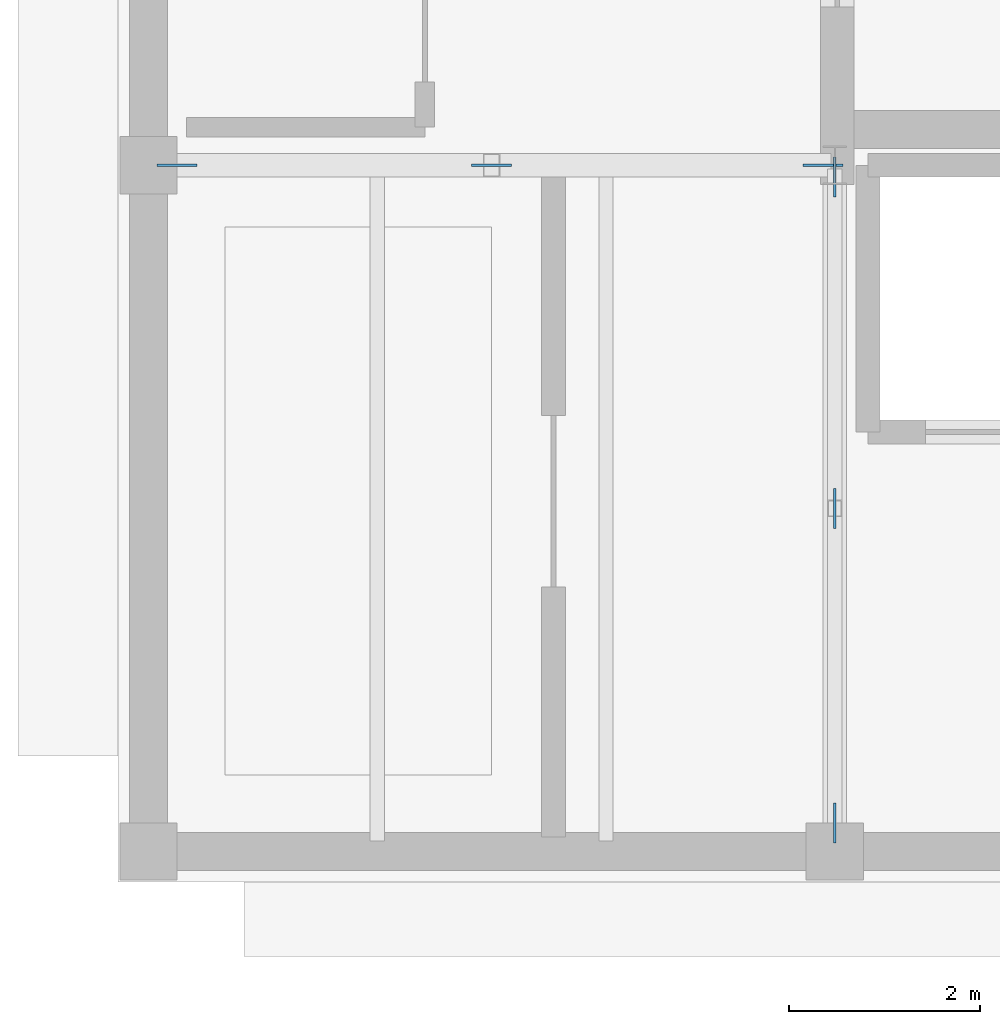
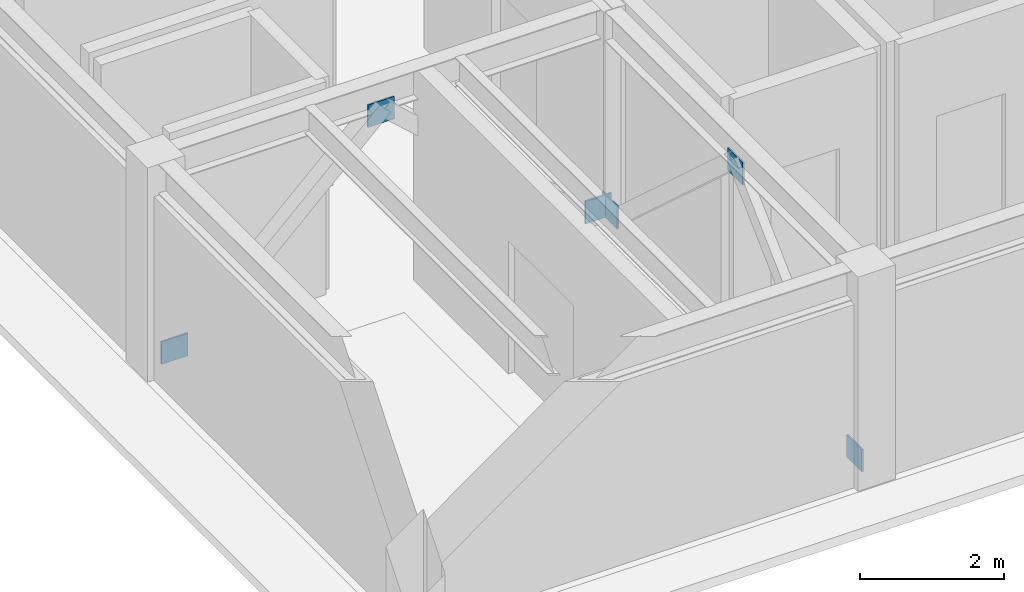
# One storey, part 6 of 8: 6 discrete accessories.
"""IFC4 building model written with IfcOpenShell, lengths in metres."""

from ifc_helpers import new_model, si_unit, direction, frame, origin, origin_2d, place, context, subcontext, project, spatial, rectangle, extrude, material, type_object, element, save


model = new_model("IFC4")

# Units and contexts
model_context = context("Model", 3, precision=1e-05, world=origin(), true_north=direction((0.0, 1.0)))
body_context = subcontext(model_context, "Body", "Model", "MODEL_VIEW")
ifc_project = project(units=[si_unit("LENGTHUNIT", "METRE"), si_unit("AREAUNIT", "SQUARE_METRE"), si_unit("VOLUMEUNIT", "CUBIC_METRE"), si_unit("PLANEANGLEUNIT", "RADIAN"), si_unit("MASSUNIT", "GRAM", prefix="KILO")], contexts=[model_context])

# Site, building, storey
site_placement = place(None, origin())
site = spatial("IfcSite", under=ifc_project, at=site_placement, CompositionType="ELEMENT")
building_placement = place(site_placement, origin())
building = spatial("IfcBuilding", under=site, at=building_placement, Name="Kandorven Conservatory and Botanical Research Centre", CompositionType="ELEMENT")
storey_placement = place(building_placement, frame((0.0, 0.0, 36.60009765625)))
storey = spatial("IfcBuildingStorey", under=building, at=storey_placement, Name="L09", CompositionType="ELEMENT", Elevation=36.60009765625)

# Discrete accessories
ifc_material = material(Name="Steel S355 (IS 2062 E350)", Category="steel")
discrete_accessory_type = type_object("IfcDiscreteAccessoryType", Name="BraceGussetPlate", PredefinedType="BRACKET", material=ifc_material)
for number, where, z_axis, x_axis, name in (
    (1, (6.300048828125, 13.199951171875, -0.010009765625), (0.0, 0.0, 1.0), (1.0, 0.0, 0.0), "Welded chevron brace gusset plate L09 X-W"),
    (2, (9.60009765625, 13.199951171875, 2.83984375), (0.0, 0.0, 1.0), (1.0, 0.0, 0.0), "Welded chevron brace gusset plate L09 X-M"),
    (3, (13.074951171875, 13.199951171875, -0.010009765625), (0.0, 0.0, 1.0), (1.0, 0.0, 0.0), "Welded chevron brace gusset plate L09 X-E"),
):
    element("IfcDiscreteAccessory", number, at=place(storey_placement, frame(where, z_axis=z_axis, x_axis=x_axis)), inside=storey, type_object=discrete_accessory_type, Name=name, PredefinedType="BRACKET", context=body_context, shape_type="SweptSolid", body=[
        extrude(rectangle(XDim=0.419921875, YDim=0.028076171875, at=origin_2d()), origin(), (0.0, 0.0, 1.0), 0.3798828125),
    ])
for number, where, z_axis, x_axis, name in (
    (4, (13.199951171875, 6.300048828125, -0.010009765625), (0.0, 0.0, 1.0), (1.0, 0.0, 0.0), "Welded chevron brace gusset plate L09 Y-S"),
    (5, (13.199951171875, 9.60009765625, 2.83984375), (0.0, 0.0, 1.0), (1.0, 0.0, 0.0), "Welded chevron brace gusset plate L09 Y-M"),
    (6, (13.199951171875, 13.074951171875, -0.010009765625), (0.0, 0.0, 1.0), (1.0, 0.0, 0.0), "Welded chevron brace gusset plate L09 Y-N"),
):
    element("IfcDiscreteAccessory", number, at=place(storey_placement, frame(where, z_axis=z_axis, x_axis=x_axis)), inside=storey, type_object=discrete_accessory_type, Name=name, PredefinedType="BRACKET", context=body_context, shape_type="SweptSolid", body=[
        extrude(rectangle(XDim=0.028076171875, YDim=0.419921875, at=origin_2d()), origin(), (0.0, 0.0, 1.0), 0.3798828125),
    ])

save(model, "model.ifc")
